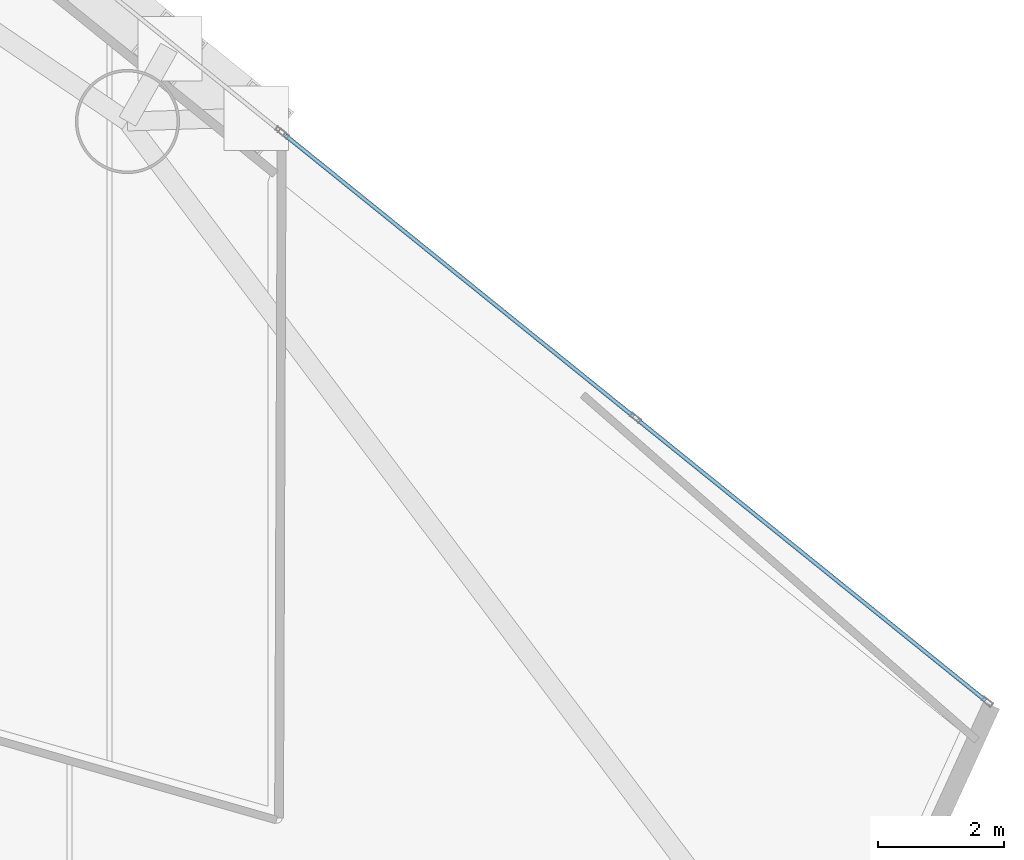
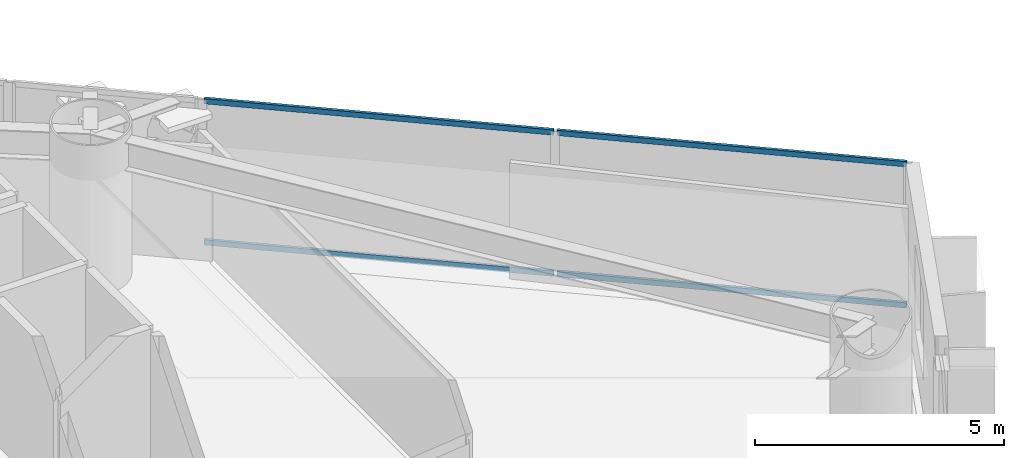
# One storey, part 14 of 23: 4 members, 1 element without a shape of its own.
"""IFC4 building model written with IfcOpenShell, lengths in metres."""

from ifc_helpers import new_model, si_unit, direction, frame, origin, origin_2d, place, context, subcontext, project, spatial, hollow_rectangle, extrude, material, layer, layer_set, material_profile, profile_set, type_object, element, aggregate, save


model = new_model("IFC4")

# Units and contexts
model_context = context("Model", 3, precision=1e-05, world=origin(), true_north=direction((0.0, 1.0)))
body_context = subcontext(model_context, "Body", "Model", "MODEL_VIEW")
ifc_project = project(units=[si_unit("LENGTHUNIT", "METRE"), si_unit("AREAUNIT", "SQUARE_METRE"), si_unit("VOLUMEUNIT", "CUBIC_METRE"), si_unit("PLANEANGLEUNIT", "RADIAN"), si_unit("MASSUNIT", "GRAM", prefix="KILO")], contexts=[model_context])

# Site, building, storey
site_placement = place(None, origin())
site = spatial("IfcSite", under=ifc_project, at=site_placement, CompositionType="ELEMENT")
building_placement = place(site_placement, origin())
building = spatial("IfcBuilding", under=site, at=building_placement, Name="Qianvela Tower", CompositionType="ELEMENT")
storey_placement = place(building_placement, frame((0.0, 0.0, 82.10009765625)))
storey = spatial("IfcBuildingStorey", under=building, at=storey_placement, Name="L20", CompositionType="ELEMENT", Elevation=82.10009765625)

# Curtain wall, members
ifc_material_1 = material(Name="Anodised Architectural Aluminium and Low-E Glass", Category="aluminium")
ifc_layer = layer(ifc_material_1, 0.179931640625)
ifc_layer_set = layer_set([ifc_layer], Name="Anodised Architectural Aluminium and Low-E Glass")
curtain_wall_type = type_object("IfcCurtainWallType", Name="CW-COLIV-Z12", PredefinedType="USERDEFINED", material=ifc_layer_set)
curtain_wall_placement = place(storey_placement, origin())
curtain_wall = element("IfcCurtainWall", 1, at=curtain_wall_placement, inside=storey, type_object=curtain_wall_type, Name="L20 CW-COLIV-Z12 Curtain Wall 02A", ObjectType="CURTAIN_WALL_SYSTEM", PredefinedType="USERDEFINED")
ifc_material_2 = material(Name="Anodised Architectural Aluminium 6063-T6", Category="aluminium")
ifc_material_profile = material_profile(ifc_material_2, hollow_rectangle(XDim=0.06494140625, YDim=0.1298828125, WallThickness=0.00439453125, at=origin_2d()), Name="ALU-TRAN-65x130")
ifc_profile_set = profile_set([ifc_material_profile], Name="Anodised Architectural Aluminium 6063-T6")
member_type = type_object("IfcMemberType", Name="CW-COLIV-Z12-TRAN", PredefinedType="USERDEFINED", material=ifc_profile_set)
member_1_placement = place(storey_placement, frame((59.572021484375, 24.887451171875, 0.032470703125), z_axis=(-0.778116590155, 0.628119870825, 0.0), x_axis=(-0.628119870825, -0.778116590155, 0.0)))
member_1 = element("IfcMember", 2, at=member_1_placement, type_object=member_type, Name="CW-3 transom 1.1", ObjectType="TRANSOM", PredefinedType="USERDEFINED", context=body_context, shape_type="SweptSolid", body=[
    extrude(hollow_rectangle(XDim=0.06494140625, YDim=0.1298828125, WallThickness=0.00439453125, at=origin_2d()), origin(), (0.0, 0.0, 1.0), 7.090087890625),
])
member_2_placement = place(storey_placement, frame((59.572021484375, 24.887451171875, 3.4873046875), z_axis=(-0.778116590155, 0.628119870825, 0.0), x_axis=(-0.628119870825, -0.778116590155, 0.0)))
member_2 = element("IfcMember", 3, at=member_2_placement, type_object=member_type, Name="CW-3 transom 1.2", ObjectType="TRANSOM", PredefinedType="USERDEFINED", context=body_context, shape_type="SweptSolid", body=[
    extrude(hollow_rectangle(XDim=0.06494140625, YDim=0.1298828125, WallThickness=0.00439453125, at=origin_2d()), origin(), (0.0, 0.0, 1.0), 7.090087890625),
])
member_3_placement = place(storey_placement, frame((54.000732421875, 29.384765625, 0.032470703125), z_axis=(-0.778086173599, 0.62815754907, 0.0), x_axis=(-0.62815754907, -0.778086173599, 0.0)))
member_3 = element("IfcMember", 4, at=member_3_placement, type_object=member_type, Name="CW-3 transom 2.1", ObjectType="TRANSOM", PredefinedType="USERDEFINED", context=body_context, shape_type="SweptSolid", body=[
    extrude(hollow_rectangle(XDim=0.06494140625, YDim=0.1298828125, WallThickness=0.00439453125, at=origin_2d()), origin(), (0.0, 0.0, 1.0), 7.08984375),
])
member_4_placement = place(storey_placement, frame((54.000732421875, 29.384765625, 3.4873046875), z_axis=(-0.778086173599, 0.62815754907, 0.0), x_axis=(-0.62815754907, -0.778086173599, 0.0)))
member_4 = element("IfcMember", 5, at=member_4_placement, type_object=member_type, Name="CW-3 transom 2.2", ObjectType="TRANSOM", PredefinedType="USERDEFINED", context=body_context, shape_type="SweptSolid", body=[
    extrude(hollow_rectangle(XDim=0.06494140625, YDim=0.1298828125, WallThickness=0.00439453125, at=origin_2d()), origin(), (0.0, 0.0, 1.0), 7.08984375),
])
aggregate(curtain_wall, [member_1, member_2, member_3, member_4])

save(model, "model.ifc")
